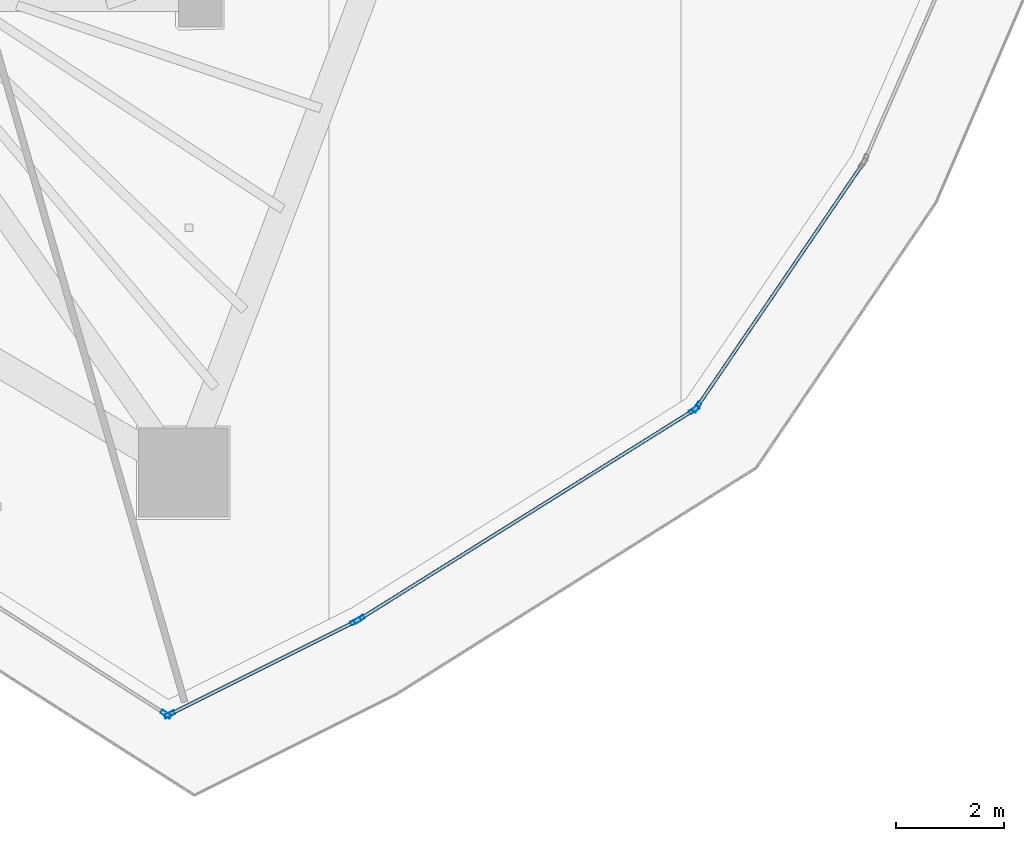
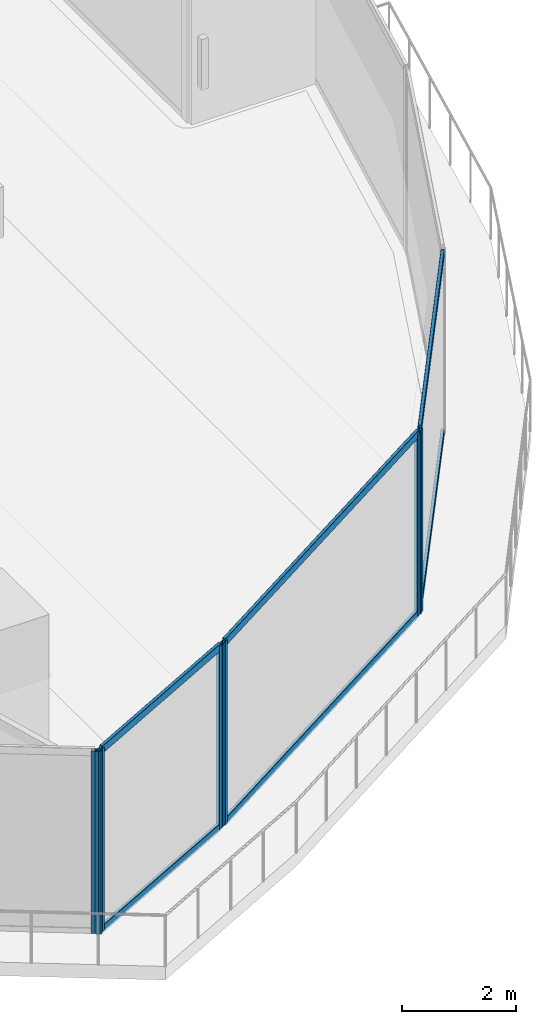
# One storey, part 10 of 31: 12 members, 4 elements without a shape of their own.
"""IFC4 building model written with IfcOpenShell, lengths in metres."""

from ifc_helpers import new_model, si_unit, direction, frame, origin, origin_2d, place, context, subcontext, project, spatial, hollow_rectangle, extrude, material, layer, layer_set, material_profile, profile_set, type_object, element, aggregate, save


model = new_model("IFC4")

# Units and contexts
model_context = context("Model", 3, precision=1e-05, world=origin(), true_north=direction((0.0, 1.0)))
body_context = subcontext(model_context, "Body", "Model", "MODEL_VIEW")
ifc_project = project(units=[si_unit("LENGTHUNIT", "METRE"), si_unit("AREAUNIT", "SQUARE_METRE"), si_unit("VOLUMEUNIT", "CUBIC_METRE"), si_unit("PLANEANGLEUNIT", "RADIAN"), si_unit("MASSUNIT", "GRAM", prefix="KILO")], contexts=[model_context])

# Site, building, storey
site_placement = place(None, origin())
site = spatial("IfcSite", under=ifc_project, at=site_placement, CompositionType="ELEMENT")
building_placement = place(site_placement, origin())
building = spatial("IfcBuilding", under=site, at=building_placement, Name="Qorvath Tower", CompositionType="ELEMENT")
storey_placement = place(building_placement, frame((0.0, 0.0, 264.0)))
storey = spatial("IfcBuildingStorey", under=building, at=storey_placement, Name="L61", CompositionType="ELEMENT", Elevation=264.0)

# Curtain wall, member
ifc_material_1 = material(Name="Anodised aluminium and triple low-E glass", Category="aluminium")
ifc_layer = layer(ifc_material_1, 0.179931640625)
ifc_layer_set = layer_set([ifc_layer], Name="CW-SYS-4")
curtain_wall_type = type_object("IfcCurtainWallType", Name="CW-SYS-4", PredefinedType="NOTDEFINED", material=ifc_layer_set)
curtain_wall_1_placement = place(storey_placement, origin())
curtain_wall_1 = element("IfcCurtainWall", 1, at=curtain_wall_1_placement, inside=storey, type_object=curtain_wall_type, Name="Curtain Wall CW-4 CW-T-L61-2.2", PredefinedType="NOTDEFINED")
ifc_material_2 = material(Name="Anodised aluminium 6063-T6", Category="aluminium")
ifc_material_profile_1 = material_profile(ifc_material_2, hollow_rectangle(XDim=0.074951171875, YDim=0.199951171875, WallThickness=0.00390625, InnerFilletRadius=0.00390625, OuterFilletRadius=0.008056640625, at=origin_2d()), Name="CWM 200x75")
ifc_profile_set_1 = profile_set([ifc_material_profile_1], Name="Anodised aluminium 6063-T6")
member_type_1 = type_object("IfcMemberType", Name="CWM-200", PredefinedType="MULLION", material=ifc_profile_set_1)
member_1_placement = place(storey_placement, frame((-17.833984375, -24.572509765625, 0.0), z_axis=(0.0, 0.0, 1.0), x_axis=(0.538536275061, 0.842602326393, 0.0)))
member_1 = element("IfcMember", 2, at=member_1_placement, type_object=member_type_1, Name="CW-4 mullion 5", PredefinedType="MULLION", context=body_context, shape_type="SweptSolid", body=[
    extrude(hollow_rectangle(XDim=0.074951171875, YDim=0.199951171875, WallThickness=0.00390625, InnerFilletRadius=0.00390625, OuterFilletRadius=0.008056640625, at=origin_2d()), origin(), (0.0, 0.0, 1.0), 3.909912109375),
])
aggregate(curtain_wall_1, [member_1])

# Curtain wall, members
curtain_wall_2_placement = place(storey_placement, origin())
curtain_wall_2 = element("IfcCurtainWall", 3, at=curtain_wall_2_placement, inside=storey, type_object=curtain_wall_type, Name="Curtain Wall CW-4 CW-T-L61-3.1", PredefinedType="NOTDEFINED")
member_2_placement = place(storey_placement, frame((-17.76904296875, -24.575927734375, 0.0), z_axis=(0.0, 0.0, 1.0), x_axis=(-0.447193229071, 0.894437373924, 0.0)))
member_2 = element("IfcMember", 4, at=member_2_placement, type_object=member_type_1, Name="CW-4 mullion 1", PredefinedType="MULLION", context=body_context, shape_type="SweptSolid", body=[
    extrude(hollow_rectangle(XDim=0.074951171875, YDim=0.199951171875, WallThickness=0.00390625, InnerFilletRadius=0.00390625, OuterFilletRadius=0.008056640625, at=origin_2d()), origin(), (0.0, 0.0, 1.0), 3.909912109375),
])
member_3_placement = place(storey_placement, frame((-14.32275390625, -22.85302734375, 0.0), z_axis=(0.0, 0.0, 1.0), x_axis=(-0.447193229071, 0.894437373924, 0.0)))
member_3 = element("IfcMember", 5, at=member_3_placement, type_object=member_type_1, Name="CW-4 mullion 2", PredefinedType="MULLION", context=body_context, shape_type="SweptSolid", body=[
    extrude(hollow_rectangle(XDim=0.074951171875, YDim=0.199951171875, WallThickness=0.00390625, InnerFilletRadius=0.00390625, OuterFilletRadius=0.008056640625, at=origin_2d()), origin(), (0.0, 0.0, 1.0), 3.909912109375),
])

curtain_wall_3_placement = place(storey_placement, origin())
curtain_wall_3 = element("IfcCurtainWall", 6, at=curtain_wall_3_placement, inside=storey, type_object=curtain_wall_type, Name="Curtain Wall CW-4 CW-T-L61-4.1", PredefinedType="NOTDEFINED")
member_4_placement = place(storey_placement, frame((-14.25732421875, -22.81640625, 0.0), z_axis=(0.0, 0.0, 1.0), x_axis=(-0.530411579376, 0.847740264741, 0.0)))
member_4 = element("IfcMember", 7, at=member_4_placement, type_object=member_type_1, Name="CW-4 mullion 1", PredefinedType="MULLION", context=body_context, shape_type="SweptSolid", body=[
    extrude(hollow_rectangle(XDim=0.074951171875, YDim=0.199951171875, WallThickness=0.00390625, InnerFilletRadius=0.00390625, OuterFilletRadius=0.008056640625, at=origin_2d()), origin(), (0.0, 0.0, 1.0), 3.909912109375),
])
member_5_placement = place(storey_placement, frame((-8.0615234375, -18.939697265625, 0.0), z_axis=(0.0, 0.0, 1.0), x_axis=(-0.530411579376, 0.847740264741, 0.0)))
member_5 = element("IfcMember", 8, at=member_5_placement, type_object=member_type_1, Name="CW-4 mullion 2", PredefinedType="MULLION", context=body_context, shape_type="SweptSolid", body=[
    extrude(hollow_rectangle(XDim=0.074951171875, YDim=0.199951171875, WallThickness=0.00390625, InnerFilletRadius=0.00390625, OuterFilletRadius=0.008056640625, at=origin_2d()), origin(), (0.0, 0.0, 1.0), 3.909912109375),
])

# Curtain wall, member
curtain_wall_4_placement = place(storey_placement, origin())
curtain_wall_4 = element("IfcCurtainWall", 9, at=curtain_wall_4_placement, inside=storey, type_object=curtain_wall_type, Name="Curtain Wall CW-4 CW-T-L61-5.1", PredefinedType="NOTDEFINED")
member_6_placement = place(storey_placement, frame((-8.0087890625, -18.888916015625, 0.0), z_axis=(0.0, 0.0, 1.0), x_axis=(-0.826358006639, 0.563145136589, 0.0)))
member_6 = element("IfcMember", 10, at=member_6_placement, type_object=member_type_1, Name="CW-4 mullion 1", PredefinedType="MULLION", context=body_context, shape_type="SweptSolid", body=[
    extrude(hollow_rectangle(XDim=0.074951171875, YDim=0.199951171875, WallThickness=0.00390625, InnerFilletRadius=0.00390625, OuterFilletRadius=0.008056640625, at=origin_2d()), origin(), (0.0, 0.0, 1.0), 3.909912109375),
])

# Member
ifc_material_3 = material(Name="Anodised aluminium 6063-T6", Category="aluminium")
ifc_material_profile_2 = material_profile(ifc_material_3, hollow_rectangle(XDim=0.06494140625, YDim=0.159912109375, WallThickness=0.00341796875, InnerFilletRadius=0.00341796875, OuterFilletRadius=0.007080078125, at=origin_2d()), Name="CWT 160x65")
ifc_profile_set_2 = profile_set([ifc_material_profile_2], Name="Anodised aluminium 6063-T6")
member_type_2 = type_object("IfcMemberType", Name="CWT-160", PredefinedType="USERDEFINED", material=ifc_profile_set_2)
member_7_placement = place(storey_placement, frame((-17.7353515625, -24.559326171875, 0.032470703125), z_axis=(0.894414266499, 0.447239443569, 0.0), x_axis=(-0.447239443569, 0.894414266499, 0.0)))
member_7 = element("IfcMember", 11, at=member_7_placement, type_object=member_type_2, Name="CW-4 transom 1.1", ObjectType="TRANSOM", PredefinedType="USERDEFINED", context=body_context, shape_type="SweptSolid", body=[
    extrude(hollow_rectangle(XDim=0.06494140625, YDim=0.159912109375, WallThickness=0.00341796875, InnerFilletRadius=0.00341796875, OuterFilletRadius=0.007080078125, at=origin_2d()), origin(), (0.0, 0.0, 1.0), 3.778076171875),
])

member_8_placement = place(storey_placement, frame((-17.7353515625, -24.559326171875, 3.87744140625), z_axis=(0.894414266499, 0.447239443569, 0.0), x_axis=(-0.447239443569, 0.894414266499, 0.0)))
member_8 = element("IfcMember", 12, at=member_8_placement, type_object=member_type_2, Name="CW-4 transom 1.2", ObjectType="TRANSOM", PredefinedType="USERDEFINED", context=body_context, shape_type="SweptSolid", body=[
    extrude(hollow_rectangle(XDim=0.06494140625, YDim=0.159912109375, WallThickness=0.00341796875, InnerFilletRadius=0.00341796875, OuterFilletRadius=0.007080078125, at=origin_2d()), origin(), (0.0, 0.0, 1.0), 3.778076171875),
])

aggregate(curtain_wall_2, [member_2, member_3, member_7, member_8])

member_9_placement = place(storey_placement, frame((-14.2255859375, -22.79638671875, 0.032470703125), z_axis=(0.847751717941, 0.530393273646, 0.0), x_axis=(-0.530393273646, 0.847751717941, 0.0)))
member_9 = element("IfcMember", 13, at=member_9_placement, type_object=member_type_2, Name="CW-4 transom 1.1", ObjectType="TRANSOM", PredefinedType="USERDEFINED", context=body_context, shape_type="SweptSolid", body=[
    extrude(hollow_rectangle(XDim=0.06494140625, YDim=0.159912109375, WallThickness=0.00341796875, InnerFilletRadius=0.00341796875, OuterFilletRadius=0.007080078125, at=origin_2d()), origin(), (0.0, 0.0, 1.0), 7.233642578125),
])

member_10_placement = place(storey_placement, frame((-14.2255859375, -22.79638671875, 3.87744140625), z_axis=(0.847751717941, 0.530393273646, 0.0), x_axis=(-0.530393273646, 0.847751717941, 0.0)))
member_10 = element("IfcMember", 14, at=member_10_placement, type_object=member_type_2, Name="CW-4 transom 1.2", ObjectType="TRANSOM", PredefinedType="USERDEFINED", context=body_context, shape_type="SweptSolid", body=[
    extrude(hollow_rectangle(XDim=0.06494140625, YDim=0.159912109375, WallThickness=0.00341796875, InnerFilletRadius=0.00341796875, OuterFilletRadius=0.007080078125, at=origin_2d()), origin(), (0.0, 0.0, 1.0), 7.233642578125),
])

aggregate(curtain_wall_3, [member_4, member_5, member_9, member_10])

member_11_placement = place(storey_placement, frame((-7.987548828125, -18.85791015625, 0.032470703125), z_axis=(0.563153979545, 0.826351980286, 0.0), x_axis=(-0.826351980286, 0.563153979545, 0.0)))
member_11 = element("IfcMember", 15, at=member_11_placement, type_object=member_type_2, Name="CW-4 transom 1.1", ObjectType="TRANSOM", PredefinedType="USERDEFINED", context=body_context, shape_type="SweptSolid", body=[
    extrude(hollow_rectangle(XDim=0.06494140625, YDim=0.159912109375, WallThickness=0.00341796875, InnerFilletRadius=0.00341796875, OuterFilletRadius=0.007080078125, at=origin_2d()), origin(), (0.0, 0.0, 1.0), 5.386474609375),
])

member_12_placement = place(storey_placement, frame((-7.987548828125, -18.85791015625, 3.87744140625), z_axis=(0.563153979545, 0.826351980286, 0.0), x_axis=(-0.826351980286, 0.563153979545, 0.0)))
member_12 = element("IfcMember", 16, at=member_12_placement, type_object=member_type_2, Name="CW-4 transom 1.2", ObjectType="TRANSOM", PredefinedType="USERDEFINED", context=body_context, shape_type="SweptSolid", body=[
    extrude(hollow_rectangle(XDim=0.06494140625, YDim=0.159912109375, WallThickness=0.00341796875, InnerFilletRadius=0.00341796875, OuterFilletRadius=0.007080078125, at=origin_2d()), origin(), (0.0, 0.0, 1.0), 5.386474609375),
])

aggregate(curtain_wall_4, [member_6, member_11, member_12])

save(model, "model.ifc")
